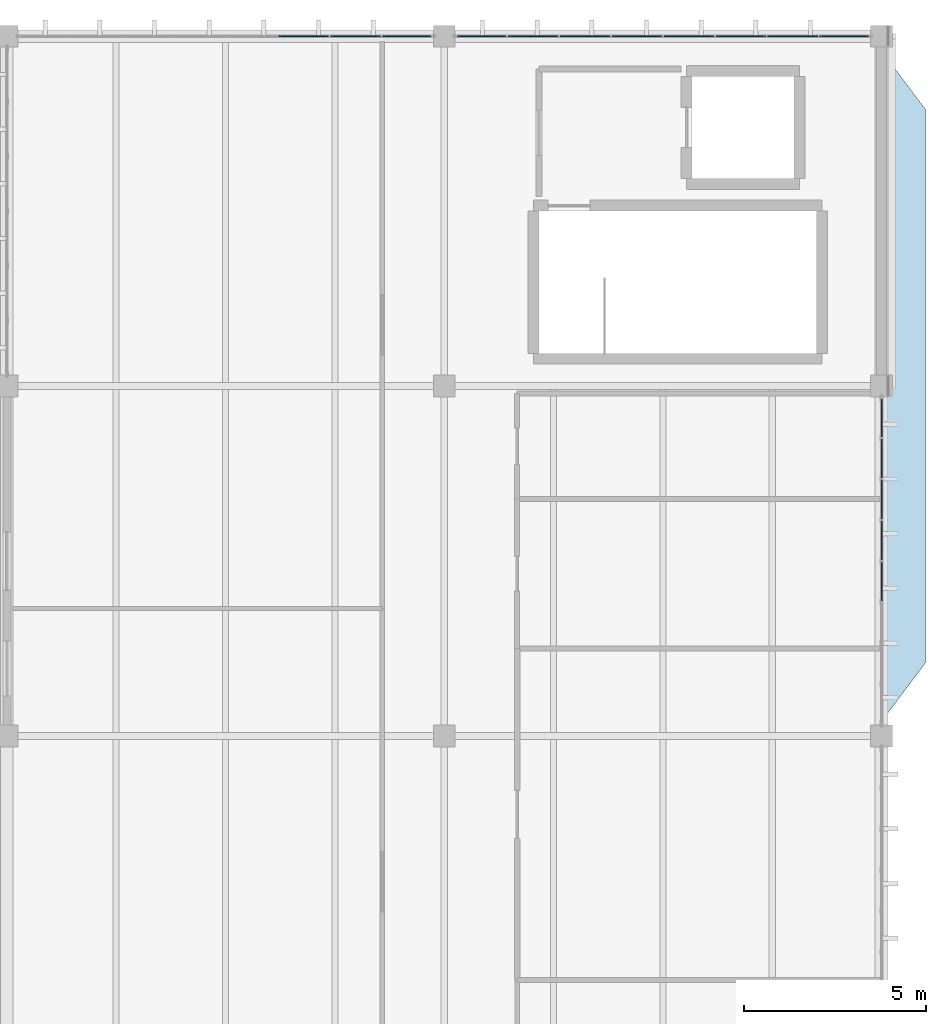
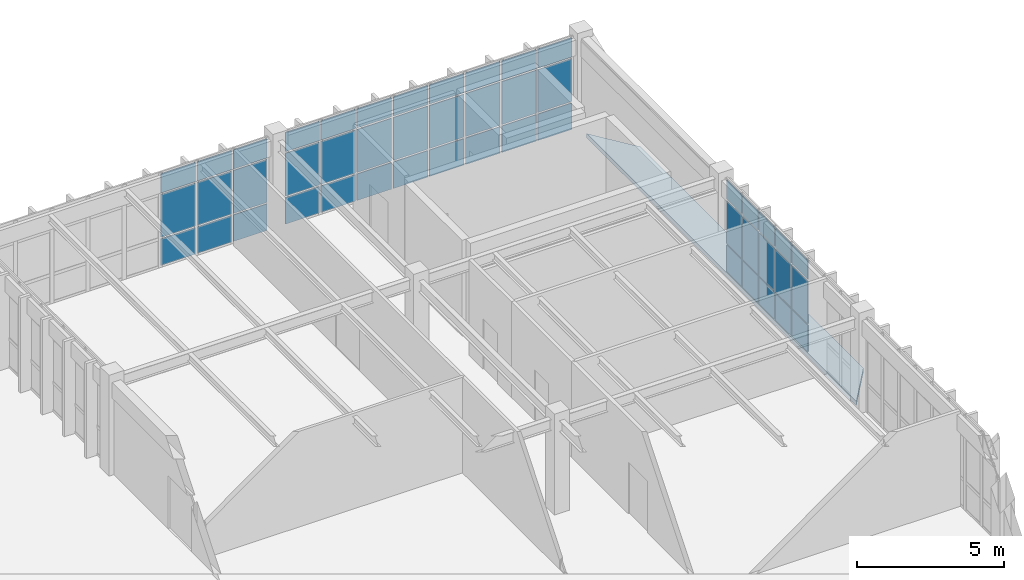
# One storey, part 22 of 28: 48 plates, 1 slab, 3 elements without a shape of their own.
"""IFC4 building model written with IfcOpenShell, lengths in metres."""

from ifc_helpers import new_model, si_unit, direction, frame, origin, origin_2d, place, context, subcontext, project, spatial, polyline, rectangle, outline, extrude, material, layer, layer_set, type_object, element, aggregate, save


model = new_model("IFC4")

# Units and contexts
model_context = context("Model", 3, precision=1e-05, world=origin(), true_north=direction((0.0, 1.0)))
body_context = subcontext(model_context, "Body", "Model", "MODEL_VIEW")
ifc_project = project(units=[si_unit("LENGTHUNIT", "METRE"), si_unit("AREAUNIT", "SQUARE_METRE"), si_unit("VOLUMEUNIT", "CUBIC_METRE"), si_unit("PLANEANGLEUNIT", "RADIAN"), si_unit("MASSUNIT", "GRAM", prefix="KILO")], contexts=[model_context])

# Site, building, storey
site_placement = place(None, origin())
site = spatial("IfcSite", under=ifc_project, at=site_placement, CompositionType="ELEMENT")
building_placement = place(site_placement, origin())
building = spatial("IfcBuilding", under=site, at=building_placement, Name="Pandanus Reach Market Hall", CompositionType="ELEMENT")
storey_placement = place(building_placement, frame((0.0, 0.0, 18.60009765625)))
storey = spatial("IfcBuildingStorey", under=building, at=storey_placement, Name="L04", CompositionType="ELEMENT", Elevation=18.60009765625)

# Curtain wall, plates
ifc_material_1 = material(Name="Bronze anodised aluminium and low-E glass", Category="aluminium")
ifc_layer_1 = layer(ifc_material_1, 0.159912109375, Name="CW-35")
ifc_layer_set_1 = layer_set([ifc_layer_1], Name="Bronze anodised aluminium and low-E glass")
curtain_wall_type_1 = type_object("IfcCurtainWallType", Name="CW-35", PredefinedType="NOTDEFINED", material=ifc_layer_set_1)
curtain_wall_1_placement = place(storey_placement, origin())
curtain_wall_1 = element("IfcCurtainWall", 1, at=curtain_wall_1_placement, inside=storey, type_object=curtain_wall_type_1, Name="Glazed curtain wall CW-35 CW-0128", PredefinedType="NOTDEFINED")
ifc_material_2 = material(Name="Solar-control double glazing", Category="glass")
ifc_layer_2 = layer(ifc_material_2, 0.028076171875, Name="CW-P1")
ifc_layer_set_2 = layer_set([ifc_layer_2], Name="Solar-control double glazing")
plate_type = type_object("IfcPlateType", Name="CW-P1", PredefinedType="CURTAIN_PANEL", material=ifc_layer_set_2)
plate_1_placement = place(storey_placement, frame((164.137451171875, 76.800048828125, 0.06494140625), z_axis=(0.0, 0.0, 1.0), x_axis=(1.0, 0.0, 0.0)))
plate_1 = element("IfcPlate", 2, at=plate_1_placement, type_object=plate_type, Name="CW-35 panel 6.1", PredefinedType="CURTAIN_PANEL", context=body_context, shape_type="SweptSolid", body=[
    extrude(rectangle(XDim=1.360107421875, YDim=0.028076171875, at=origin_2d()), origin(), (0.0, 0.0, 1.0), 1.1025390625),
])
plate_2_placement = place(storey_placement, frame((164.137451171875, 76.800048828125, 1.232421875), z_axis=(0.0, 0.0, 1.0), x_axis=(1.0, 0.0, 0.0)))
plate_2 = element("IfcPlate", 3, at=plate_2_placement, type_object=plate_type, Name="CW-35 panel 6.2", PredefinedType="CURTAIN_PANEL", context=body_context, shape_type="SweptSolid", body=[
    extrude(rectangle(XDim=1.360107421875, YDim=0.028076171875, at=origin_2d()), origin(), (0.0, 0.0, 1.0), 1.784912109375),
])
plate_3_placement = place(storey_placement, frame((164.137451171875, 76.800048828125, 3.08251953125), z_axis=(0.0, 0.0, 1.0), x_axis=(1.0, 0.0, 0.0)))
plate_3 = element("IfcPlate", 4, at=plate_3_placement, type_object=plate_type, Name="CW-35 panel 6.3", PredefinedType="CURTAIN_PANEL", context=body_context, shape_type="SweptSolid", body=[
    extrude(rectangle(XDim=1.360107421875, YDim=0.028076171875, at=origin_2d()), origin(), (0.0, 0.0, 1.0), 0.802490234375),
])
plate_4_placement = place(storey_placement, frame((165.5625, 76.800048828125, 0.06494140625), z_axis=(0.0, 0.0, 1.0), x_axis=(1.0, 0.0, 0.0)))
plate_4 = element("IfcPlate", 5, at=plate_4_placement, type_object=plate_type, Name="CW-35 panel 7.1", PredefinedType="CURTAIN_PANEL", context=body_context, shape_type="SweptSolid", body=[
    extrude(rectangle(XDim=1.360107421875, YDim=0.028076171875, at=origin_2d()), origin(), (0.0, 0.0, 1.0), 1.1025390625),
])
plate_5_placement = place(storey_placement, frame((165.5625, 76.800048828125, 1.232421875), z_axis=(0.0, 0.0, 1.0), x_axis=(1.0, 0.0, 0.0)))
plate_5 = element("IfcPlate", 6, at=plate_5_placement, type_object=plate_type, Name="CW-35 panel 7.2", PredefinedType="CURTAIN_PANEL", context=body_context, shape_type="SweptSolid", body=[
    extrude(rectangle(XDim=1.360107421875, YDim=0.028076171875, at=origin_2d()), origin(), (0.0, 0.0, 1.0), 1.784912109375),
])
plate_6_placement = place(storey_placement, frame((165.5625, 76.800048828125, 3.08251953125), z_axis=(0.0, 0.0, 1.0), x_axis=(1.0, 0.0, 0.0)))
plate_6 = element("IfcPlate", 7, at=plate_6_placement, type_object=plate_type, Name="CW-35 panel 7.3", PredefinedType="CURTAIN_PANEL", context=body_context, shape_type="SweptSolid", body=[
    extrude(rectangle(XDim=1.360107421875, YDim=0.028076171875, at=origin_2d()), origin(), (0.0, 0.0, 1.0), 0.802490234375),
])
plate_7_placement = place(storey_placement, frame((166.97119140625, 76.800048828125, 0.06494140625), z_axis=(0.0, 0.0, 1.0), x_axis=(1.0, 0.0, 0.0)))
plate_7 = element("IfcPlate", 8, at=plate_7_placement, type_object=plate_type, Name="CW-35 panel 8.1", PredefinedType="CURTAIN_PANEL", context=body_context, shape_type="SweptSolid", body=[
    extrude(rectangle(XDim=1.327392578125, YDim=0.028076171875, at=origin_2d()), origin(), (0.0, 0.0, 1.0), 1.1025390625),
])
plate_8_placement = place(storey_placement, frame((166.97119140625, 76.800048828125, 1.232421875), z_axis=(0.0, 0.0, 1.0), x_axis=(1.0, 0.0, 0.0)))
plate_8 = element("IfcPlate", 9, at=plate_8_placement, type_object=plate_type, Name="CW-35 panel 8.2", PredefinedType="CURTAIN_PANEL", context=body_context, shape_type="SweptSolid", body=[
    extrude(rectangle(XDim=1.327392578125, YDim=0.028076171875, at=origin_2d()), origin(), (0.0, 0.0, 1.0), 1.784912109375),
])
plate_9_placement = place(storey_placement, frame((166.97119140625, 76.800048828125, 3.08251953125), z_axis=(0.0, 0.0, 1.0), x_axis=(1.0, 0.0, 0.0)))
plate_9 = element("IfcPlate", 10, at=plate_9_placement, type_object=plate_type, Name="CW-35 panel 8.3", PredefinedType="CURTAIN_PANEL", context=body_context, shape_type="SweptSolid", body=[
    extrude(rectangle(XDim=1.327392578125, YDim=0.028076171875, at=origin_2d()), origin(), (0.0, 0.0, 1.0), 0.802490234375),
])
aggregate(curtain_wall_1, [plate_1, plate_2, plate_3, plate_4, plate_5, plate_6, plate_7, plate_8, plate_9])

curtain_wall_2_placement = place(storey_placement, origin())
curtain_wall_2 = element("IfcCurtainWall", 11, at=curtain_wall_2_placement, inside=storey, type_object=curtain_wall_type_1, Name="Glazed curtain wall CW-35 CW-0130", PredefinedType="NOTDEFINED")
plate_10_placement = place(storey_placement, frame((169.02880859375, 76.800048828125, 0.06494140625), z_axis=(0.0, 0.0, 1.0), x_axis=(1.0, 0.0, 0.0)))
plate_10 = element("IfcPlate", 12, at=plate_10_placement, type_object=plate_type, Name="CW-35 panel 1.1", PredefinedType="CURTAIN_PANEL", context=body_context, shape_type="SweptSolid", body=[
    extrude(rectangle(XDim=1.327392578125, YDim=0.028076171875, at=origin_2d()), origin(), (0.0, 0.0, 1.0), 1.1025390625),
])
plate_11_placement = place(storey_placement, frame((169.02880859375, 76.800048828125, 1.232421875), z_axis=(0.0, 0.0, 1.0), x_axis=(1.0, 0.0, 0.0)))
plate_11 = element("IfcPlate", 13, at=plate_11_placement, type_object=plate_type, Name="CW-35 panel 1.2", PredefinedType="CURTAIN_PANEL", context=body_context, shape_type="SweptSolid", body=[
    extrude(rectangle(XDim=1.327392578125, YDim=0.028076171875, at=origin_2d()), origin(), (0.0, 0.0, 1.0), 1.784912109375),
])
plate_12_placement = place(storey_placement, frame((169.02880859375, 76.800048828125, 3.08251953125), z_axis=(0.0, 0.0, 1.0), x_axis=(1.0, 0.0, 0.0)))
plate_12 = element("IfcPlate", 14, at=plate_12_placement, type_object=plate_type, Name="CW-35 panel 1.3", PredefinedType="CURTAIN_PANEL", context=body_context, shape_type="SweptSolid", body=[
    extrude(rectangle(XDim=1.327392578125, YDim=0.028076171875, at=origin_2d()), origin(), (0.0, 0.0, 1.0), 0.802490234375),
])
plate_13_placement = place(storey_placement, frame((170.4375, 76.800048828125, 0.06494140625), z_axis=(0.0, 0.0, 1.0), x_axis=(1.0, 0.0, 0.0)))
plate_13 = element("IfcPlate", 15, at=plate_13_placement, type_object=plate_type, Name="CW-35 panel 2.1", PredefinedType="CURTAIN_PANEL", context=body_context, shape_type="SweptSolid", body=[
    extrude(rectangle(XDim=1.360107421875, YDim=0.028076171875, at=origin_2d()), origin(), (0.0, 0.0, 1.0), 1.1025390625),
])
plate_14_placement = place(storey_placement, frame((170.4375, 76.800048828125, 1.232421875), z_axis=(0.0, 0.0, 1.0), x_axis=(1.0, 0.0, 0.0)))
plate_14 = element("IfcPlate", 16, at=plate_14_placement, type_object=plate_type, Name="CW-35 panel 2.2", PredefinedType="CURTAIN_PANEL", context=body_context, shape_type="SweptSolid", body=[
    extrude(rectangle(XDim=1.360107421875, YDim=0.028076171875, at=origin_2d()), origin(), (0.0, 0.0, 1.0), 1.784912109375),
])
plate_15_placement = place(storey_placement, frame((170.4375, 76.800048828125, 3.08251953125), z_axis=(0.0, 0.0, 1.0), x_axis=(1.0, 0.0, 0.0)))
plate_15 = element("IfcPlate", 17, at=plate_15_placement, type_object=plate_type, Name="CW-35 panel 2.3", PredefinedType="CURTAIN_PANEL", context=body_context, shape_type="SweptSolid", body=[
    extrude(rectangle(XDim=1.360107421875, YDim=0.028076171875, at=origin_2d()), origin(), (0.0, 0.0, 1.0), 0.802490234375),
])
plate_16_placement = place(storey_placement, frame((171.862548828125, 76.800048828125, 0.06494140625), z_axis=(0.0, 0.0, 1.0), x_axis=(1.0, 0.0, 0.0)))
plate_16 = element("IfcPlate", 18, at=plate_16_placement, type_object=plate_type, Name="CW-35 panel 3.1", PredefinedType="CURTAIN_PANEL", context=body_context, shape_type="SweptSolid", body=[
    extrude(rectangle(XDim=1.360107421875, YDim=0.028076171875, at=origin_2d()), origin(), (0.0, 0.0, 1.0), 1.1025390625),
])
plate_17_placement = place(storey_placement, frame((171.862548828125, 76.800048828125, 1.232421875), z_axis=(0.0, 0.0, 1.0), x_axis=(1.0, 0.0, 0.0)))
plate_17 = element("IfcPlate", 19, at=plate_17_placement, type_object=plate_type, Name="CW-35 panel 3.2", PredefinedType="CURTAIN_PANEL", context=body_context, shape_type="SweptSolid", body=[
    extrude(rectangle(XDim=1.360107421875, YDim=0.028076171875, at=origin_2d()), origin(), (0.0, 0.0, 1.0), 1.784912109375),
])
plate_18_placement = place(storey_placement, frame((171.862548828125, 76.800048828125, 3.08251953125), z_axis=(0.0, 0.0, 1.0), x_axis=(1.0, 0.0, 0.0)))
plate_18 = element("IfcPlate", 20, at=plate_18_placement, type_object=plate_type, Name="CW-35 panel 3.3", PredefinedType="CURTAIN_PANEL", context=body_context, shape_type="SweptSolid", body=[
    extrude(rectangle(XDim=1.360107421875, YDim=0.028076171875, at=origin_2d()), origin(), (0.0, 0.0, 1.0), 0.802490234375),
])
plate_19_placement = place(storey_placement, frame((173.28759765625, 76.800048828125, 0.06494140625), z_axis=(0.0, 0.0, 1.0), x_axis=(1.0, 0.0, 0.0)))
plate_19 = element("IfcPlate", 21, at=plate_19_placement, type_object=plate_type, Name="CW-35 panel 4.1", PredefinedType="CURTAIN_PANEL", context=body_context, shape_type="SweptSolid", body=[
    extrude(rectangle(XDim=1.360107421875, YDim=0.028076171875, at=origin_2d()), origin(), (0.0, 0.0, 1.0), 1.1025390625),
])
plate_20_placement = place(storey_placement, frame((173.28759765625, 76.800048828125, 1.232421875), z_axis=(0.0, 0.0, 1.0), x_axis=(1.0, 0.0, 0.0)))
plate_20 = element("IfcPlate", 22, at=plate_20_placement, type_object=plate_type, Name="CW-35 panel 4.2", PredefinedType="CURTAIN_PANEL", context=body_context, shape_type="SweptSolid", body=[
    extrude(rectangle(XDim=1.360107421875, YDim=0.028076171875, at=origin_2d()), origin(), (0.0, 0.0, 1.0), 1.784912109375),
])
plate_21_placement = place(storey_placement, frame((173.28759765625, 76.800048828125, 3.08251953125), z_axis=(0.0, 0.0, 1.0), x_axis=(1.0, 0.0, 0.0)))
plate_21 = element("IfcPlate", 23, at=plate_21_placement, type_object=plate_type, Name="CW-35 panel 4.3", PredefinedType="CURTAIN_PANEL", context=body_context, shape_type="SweptSolid", body=[
    extrude(rectangle(XDim=1.360107421875, YDim=0.028076171875, at=origin_2d()), origin(), (0.0, 0.0, 1.0), 0.802490234375),
])
plate_22_placement = place(storey_placement, frame((174.71240234375, 76.800048828125, 0.06494140625), z_axis=(0.0, 0.0, 1.0), x_axis=(1.0, 0.0, 0.0)))
plate_22 = element("IfcPlate", 24, at=plate_22_placement, type_object=plate_type, Name="CW-35 panel 5.1", PredefinedType="CURTAIN_PANEL", context=body_context, shape_type="SweptSolid", body=[
    extrude(rectangle(XDim=1.360107421875, YDim=0.028076171875, at=origin_2d()), origin(), (0.0, 0.0, 1.0), 1.1025390625),
])
plate_23_placement = place(storey_placement, frame((174.71240234375, 76.800048828125, 1.232421875), z_axis=(0.0, 0.0, 1.0), x_axis=(1.0, 0.0, 0.0)))
plate_23 = element("IfcPlate", 25, at=plate_23_placement, type_object=plate_type, Name="CW-35 panel 5.2", PredefinedType="CURTAIN_PANEL", context=body_context, shape_type="SweptSolid", body=[
    extrude(rectangle(XDim=1.360107421875, YDim=0.028076171875, at=origin_2d()), origin(), (0.0, 0.0, 1.0), 1.784912109375),
])
plate_24_placement = place(storey_placement, frame((174.71240234375, 76.800048828125, 3.08251953125), z_axis=(0.0, 0.0, 1.0), x_axis=(1.0, 0.0, 0.0)))
plate_24 = element("IfcPlate", 26, at=plate_24_placement, type_object=plate_type, Name="CW-35 panel 5.3", PredefinedType="CURTAIN_PANEL", context=body_context, shape_type="SweptSolid", body=[
    extrude(rectangle(XDim=1.360107421875, YDim=0.028076171875, at=origin_2d()), origin(), (0.0, 0.0, 1.0), 0.802490234375),
])
plate_25_placement = place(storey_placement, frame((176.137451171875, 76.800048828125, 0.06494140625), z_axis=(0.0, 0.0, 1.0), x_axis=(1.0, 0.0, 0.0)))
plate_25 = element("IfcPlate", 27, at=plate_25_placement, type_object=plate_type, Name="CW-35 panel 6.1", PredefinedType="CURTAIN_PANEL", context=body_context, shape_type="SweptSolid", body=[
    extrude(rectangle(XDim=1.360107421875, YDim=0.028076171875, at=origin_2d()), origin(), (0.0, 0.0, 1.0), 1.1025390625),
])
plate_26_placement = place(storey_placement, frame((176.137451171875, 76.800048828125, 1.232421875), z_axis=(0.0, 0.0, 1.0), x_axis=(1.0, 0.0, 0.0)))
plate_26 = element("IfcPlate", 28, at=plate_26_placement, type_object=plate_type, Name="CW-35 panel 6.2", PredefinedType="CURTAIN_PANEL", context=body_context, shape_type="SweptSolid", body=[
    extrude(rectangle(XDim=1.360107421875, YDim=0.028076171875, at=origin_2d()), origin(), (0.0, 0.0, 1.0), 1.784912109375),
])
plate_27_placement = place(storey_placement, frame((176.137451171875, 76.800048828125, 3.08251953125), z_axis=(0.0, 0.0, 1.0), x_axis=(1.0, 0.0, 0.0)))
plate_27 = element("IfcPlate", 29, at=plate_27_placement, type_object=plate_type, Name="CW-35 panel 6.3", PredefinedType="CURTAIN_PANEL", context=body_context, shape_type="SweptSolid", body=[
    extrude(rectangle(XDim=1.360107421875, YDim=0.028076171875, at=origin_2d()), origin(), (0.0, 0.0, 1.0), 0.802490234375),
])
plate_28_placement = place(storey_placement, frame((177.5625, 76.800048828125, 0.06494140625), z_axis=(0.0, 0.0, 1.0), x_axis=(1.0, 0.0, 0.0)))
plate_28 = element("IfcPlate", 30, at=plate_28_placement, type_object=plate_type, Name="CW-35 panel 7.1", PredefinedType="CURTAIN_PANEL", context=body_context, shape_type="SweptSolid", body=[
    extrude(rectangle(XDim=1.360107421875, YDim=0.028076171875, at=origin_2d()), origin(), (0.0, 0.0, 1.0), 1.1025390625),
])
plate_29_placement = place(storey_placement, frame((177.5625, 76.800048828125, 1.232421875), z_axis=(0.0, 0.0, 1.0), x_axis=(1.0, 0.0, 0.0)))
plate_29 = element("IfcPlate", 31, at=plate_29_placement, type_object=plate_type, Name="CW-35 panel 7.2", PredefinedType="CURTAIN_PANEL", context=body_context, shape_type="SweptSolid", body=[
    extrude(rectangle(XDim=1.360107421875, YDim=0.028076171875, at=origin_2d()), origin(), (0.0, 0.0, 1.0), 1.784912109375),
])
plate_30_placement = place(storey_placement, frame((177.5625, 76.800048828125, 3.08251953125), z_axis=(0.0, 0.0, 1.0), x_axis=(1.0, 0.0, 0.0)))
plate_30 = element("IfcPlate", 32, at=plate_30_placement, type_object=plate_type, Name="CW-35 panel 7.3", PredefinedType="CURTAIN_PANEL", context=body_context, shape_type="SweptSolid", body=[
    extrude(rectangle(XDim=1.360107421875, YDim=0.028076171875, at=origin_2d()), origin(), (0.0, 0.0, 1.0), 0.802490234375),
])
plate_31_placement = place(storey_placement, frame((178.97119140625, 76.800048828125, 0.06494140625), z_axis=(0.0, 0.0, 1.0), x_axis=(1.0, 0.0, 0.0)))
plate_31 = element("IfcPlate", 33, at=plate_31_placement, type_object=plate_type, Name="CW-35 panel 8.1", PredefinedType="CURTAIN_PANEL", context=body_context, shape_type="SweptSolid", body=[
    extrude(rectangle(XDim=1.327392578125, YDim=0.028076171875, at=origin_2d()), origin(), (0.0, 0.0, 1.0), 1.1025390625),
])
plate_32_placement = place(storey_placement, frame((178.97119140625, 76.800048828125, 1.232421875), z_axis=(0.0, 0.0, 1.0), x_axis=(1.0, 0.0, 0.0)))
plate_32 = element("IfcPlate", 34, at=plate_32_placement, type_object=plate_type, Name="CW-35 panel 8.2", PredefinedType="CURTAIN_PANEL", context=body_context, shape_type="SweptSolid", body=[
    extrude(rectangle(XDim=1.327392578125, YDim=0.028076171875, at=origin_2d()), origin(), (0.0, 0.0, 1.0), 1.784912109375),
])
plate_33_placement = place(storey_placement, frame((178.97119140625, 76.800048828125, 3.08251953125), z_axis=(0.0, 0.0, 1.0), x_axis=(1.0, 0.0, 0.0)))
plate_33 = element("IfcPlate", 35, at=plate_33_placement, type_object=plate_type, Name="CW-35 panel 8.3", PredefinedType="CURTAIN_PANEL", context=body_context, shape_type="SweptSolid", body=[
    extrude(rectangle(XDim=1.327392578125, YDim=0.028076171875, at=origin_2d()), origin(), (0.0, 0.0, 1.0), 0.802490234375),
])
aggregate(curtain_wall_2, [plate_10, plate_11, plate_12, plate_13, plate_14, plate_15, plate_16, plate_17, plate_18, plate_19, plate_20, plate_21, plate_22, plate_23, plate_24, plate_25, plate_26, plate_27, plate_28, plate_29, plate_30, plate_31, plate_32, plate_33])

ifc_layer_3 = layer(ifc_material_1, 0.159912109375, Name="CW-36")
ifc_layer_set_3 = layer_set([ifc_layer_3], Name="Bronze anodised aluminium and low-E glass")
curtain_wall_type_2 = type_object("IfcCurtainWallType", Name="CW-36", PredefinedType="NOTDEFINED", material=ifc_layer_set_3)
curtain_wall_3_placement = place(storey_placement, origin())
curtain_wall_3 = element("IfcCurtainWall", 36, at=curtain_wall_3_placement, inside=storey, type_object=curtain_wall_type_2, Name="Glazed curtain wall CW-36 CW-0132", PredefinedType="NOTDEFINED")
plate_34_placement = place(storey_placement, frame((180.0, 61.83740234375, 0.06494140625), z_axis=(0.0, 0.0, 1.0), x_axis=(0.0, 1.0, 0.0)))
plate_34 = element("IfcPlate", 37, at=plate_34_placement, type_object=plate_type, Name="CW-36 panel 4.1", PredefinedType="CURTAIN_PANEL", context=body_context, shape_type="SweptSolid", body=[
    extrude(rectangle(XDim=1.06005859375, YDim=0.028076171875, at=origin_2d()), origin(), (0.0, 0.0, 1.0), 1.1025390625),
])
plate_35_placement = place(storey_placement, frame((180.0, 61.83740234375, 1.232421875), z_axis=(0.0, 0.0, 1.0), x_axis=(0.0, 1.0, 0.0)))
plate_35 = element("IfcPlate", 38, at=plate_35_placement, type_object=plate_type, Name="CW-36 panel 4.2", PredefinedType="CURTAIN_PANEL", context=body_context, shape_type="SweptSolid", body=[
    extrude(rectangle(XDim=1.06005859375, YDim=0.028076171875, at=origin_2d()), origin(), (0.0, 0.0, 1.0), 1.784912109375),
])
plate_36_placement = place(storey_placement, frame((180.0, 61.83740234375, 3.08251953125), z_axis=(0.0, 0.0, 1.0), x_axis=(0.0, 1.0, 0.0)))
plate_36 = element("IfcPlate", 39, at=plate_36_placement, type_object=plate_type, Name="CW-36 panel 4.3", PredefinedType="CURTAIN_PANEL", context=body_context, shape_type="SweptSolid", body=[
    extrude(rectangle(XDim=1.06005859375, YDim=0.028076171875, at=origin_2d()), origin(), (0.0, 0.0, 1.0), 0.802490234375),
])
plate_37_placement = place(storey_placement, frame((180.0, 62.96240234375, 0.06494140625), z_axis=(0.0, 0.0, 1.0), x_axis=(0.0, 1.0, 0.0)))
plate_37 = element("IfcPlate", 40, at=plate_37_placement, type_object=plate_type, Name="CW-36 panel 5.1", PredefinedType="CURTAIN_PANEL", context=body_context, shape_type="SweptSolid", body=[
    extrude(rectangle(XDim=1.06005859375, YDim=0.028076171875, at=origin_2d()), origin(), (0.0, 0.0, 1.0), 1.1025390625),
])
plate_38_placement = place(storey_placement, frame((180.0, 62.96240234375, 1.232421875), z_axis=(0.0, 0.0, 1.0), x_axis=(0.0, 1.0, 0.0)))
plate_38 = element("IfcPlate", 41, at=plate_38_placement, type_object=plate_type, Name="CW-36 panel 5.2", PredefinedType="CURTAIN_PANEL", context=body_context, shape_type="SweptSolid", body=[
    extrude(rectangle(XDim=1.06005859375, YDim=0.028076171875, at=origin_2d()), origin(), (0.0, 0.0, 1.0), 1.784912109375),
])
plate_39_placement = place(storey_placement, frame((180.0, 62.96240234375, 3.08251953125), z_axis=(0.0, 0.0, 1.0), x_axis=(0.0, 1.0, 0.0)))
plate_39 = element("IfcPlate", 42, at=plate_39_placement, type_object=plate_type, Name="CW-36 panel 5.3", PredefinedType="CURTAIN_PANEL", context=body_context, shape_type="SweptSolid", body=[
    extrude(rectangle(XDim=1.06005859375, YDim=0.028076171875, at=origin_2d()), origin(), (0.0, 0.0, 1.0), 0.802490234375),
])
plate_40_placement = place(storey_placement, frame((180.0, 64.08740234375, 0.06494140625), z_axis=(0.0, 0.0, 1.0), x_axis=(0.0, 1.0, 0.0)))
plate_40 = element("IfcPlate", 43, at=plate_40_placement, type_object=plate_type, Name="CW-36 panel 6.1", PredefinedType="CURTAIN_PANEL", context=body_context, shape_type="SweptSolid", body=[
    extrude(rectangle(XDim=1.06005859375, YDim=0.028076171875, at=origin_2d()), origin(), (0.0, 0.0, 1.0), 1.1025390625),
])
plate_41_placement = place(storey_placement, frame((180.0, 64.08740234375, 1.232421875), z_axis=(0.0, 0.0, 1.0), x_axis=(0.0, 1.0, 0.0)))
plate_41 = element("IfcPlate", 44, at=plate_41_placement, type_object=plate_type, Name="CW-36 panel 6.2", PredefinedType="CURTAIN_PANEL", context=body_context, shape_type="SweptSolid", body=[
    extrude(rectangle(XDim=1.06005859375, YDim=0.028076171875, at=origin_2d()), origin(), (0.0, 0.0, 1.0), 1.784912109375),
])
plate_42_placement = place(storey_placement, frame((180.0, 64.08740234375, 3.08251953125), z_axis=(0.0, 0.0, 1.0), x_axis=(0.0, 1.0, 0.0)))
plate_42 = element("IfcPlate", 45, at=plate_42_placement, type_object=plate_type, Name="CW-36 panel 6.3", PredefinedType="CURTAIN_PANEL", context=body_context, shape_type="SweptSolid", body=[
    extrude(rectangle(XDim=1.06005859375, YDim=0.028076171875, at=origin_2d()), origin(), (0.0, 0.0, 1.0), 0.802490234375),
])
plate_43_placement = place(storey_placement, frame((180.0, 65.21240234375, 0.06494140625), z_axis=(0.0, 0.0, 1.0), x_axis=(0.0, 1.0, 0.0)))
plate_43 = element("IfcPlate", 46, at=plate_43_placement, type_object=plate_type, Name="CW-36 panel 7.1", PredefinedType="CURTAIN_PANEL", context=body_context, shape_type="SweptSolid", body=[
    extrude(rectangle(XDim=1.06005859375, YDim=0.028076171875, at=origin_2d()), origin(), (0.0, 0.0, 1.0), 1.1025390625),
])
plate_44_placement = place(storey_placement, frame((180.0, 65.21240234375, 1.232421875), z_axis=(0.0, 0.0, 1.0), x_axis=(0.0, 1.0, 0.0)))
plate_44 = element("IfcPlate", 47, at=plate_44_placement, type_object=plate_type, Name="CW-36 panel 7.2", PredefinedType="CURTAIN_PANEL", context=body_context, shape_type="SweptSolid", body=[
    extrude(rectangle(XDim=1.06005859375, YDim=0.028076171875, at=origin_2d()), origin(), (0.0, 0.0, 1.0), 1.784912109375),
])
plate_45_placement = place(storey_placement, frame((180.0, 65.21240234375, 3.08251953125), z_axis=(0.0, 0.0, 1.0), x_axis=(0.0, 1.0, 0.0)))
plate_45 = element("IfcPlate", 48, at=plate_45_placement, type_object=plate_type, Name="CW-36 panel 7.3", PredefinedType="CURTAIN_PANEL", context=body_context, shape_type="SweptSolid", body=[
    extrude(rectangle(XDim=1.06005859375, YDim=0.028076171875, at=origin_2d()), origin(), (0.0, 0.0, 1.0), 0.802490234375),
])
plate_46_placement = place(storey_placement, frame((180.0, 66.3212890625, 0.06494140625), z_axis=(0.0, 0.0, 1.0), x_axis=(0.0, 1.0, 0.0)))
plate_46 = element("IfcPlate", 49, at=plate_46_placement, type_object=plate_type, Name="CW-36 panel 8.1", PredefinedType="CURTAIN_PANEL", context=body_context, shape_type="SweptSolid", body=[
    extrude(rectangle(XDim=1.027587890625, YDim=0.028076171875, at=origin_2d()), origin(), (0.0, 0.0, 1.0), 1.1025390625),
])
plate_47_placement = place(storey_placement, frame((180.0, 66.3212890625, 1.232421875), z_axis=(0.0, 0.0, 1.0), x_axis=(0.0, 1.0, 0.0)))
plate_47 = element("IfcPlate", 50, at=plate_47_placement, type_object=plate_type, Name="CW-36 panel 8.2", PredefinedType="CURTAIN_PANEL", context=body_context, shape_type="SweptSolid", body=[
    extrude(rectangle(XDim=1.027587890625, YDim=0.028076171875, at=origin_2d()), origin(), (0.0, 0.0, 1.0), 1.784912109375),
])
plate_48_placement = place(storey_placement, frame((180.0, 66.3212890625, 3.08251953125), z_axis=(0.0, 0.0, 1.0), x_axis=(0.0, 1.0, 0.0)))
plate_48 = element("IfcPlate", 51, at=plate_48_placement, type_object=plate_type, Name="CW-36 panel 8.3", PredefinedType="CURTAIN_PANEL", context=body_context, shape_type="SweptSolid", body=[
    extrude(rectangle(XDim=1.027587890625, YDim=0.028076171875, at=origin_2d()), origin(), (0.0, 0.0, 1.0), 0.802490234375),
])
aggregate(curtain_wall_3, [plate_34, plate_35, plate_36, plate_37, plate_38, plate_39, plate_40, plate_41, plate_42, plate_43, plate_44, plate_45, plate_46, plate_47, plate_48])

# Slab
ifc_material_3 = material(Name="Concrete N50 (50 MPa)", Category="concrete")
ifc_layer_4 = layer(ifc_material_3, 0.179931640625, Name="RF-CNP-180")
ifc_layer_set_4 = layer_set([ifc_layer_4], Name="Concrete N50 (50 MPa)")
slab_type = type_object("IfcSlabType", Name="RF-CNP-180", PredefinedType="ROOF", material=ifc_layer_set_4)
slab_placement = place(storey_placement, frame((0.0, 0.0, -0.18017578125)))
element("IfcSlab", 52, at=slab_placement, inside=storey, type_object=slab_type, Name="Sculpted concrete brise-soleil hood 17", PredefinedType="ROOF", context=body_context, shape_type="SweptSolid", body=[
    extrude(outline(polyline([(180.0, 58.0), (180.0, 76.39990234375), (181.199951171875, 74.800048828125), (181.199951171875, 59.60009765625), (180.0, 58.0)])), origin(), (0.0, 0.0, 1.0), 0.18017578125),
])

save(model, "model.ifc")
